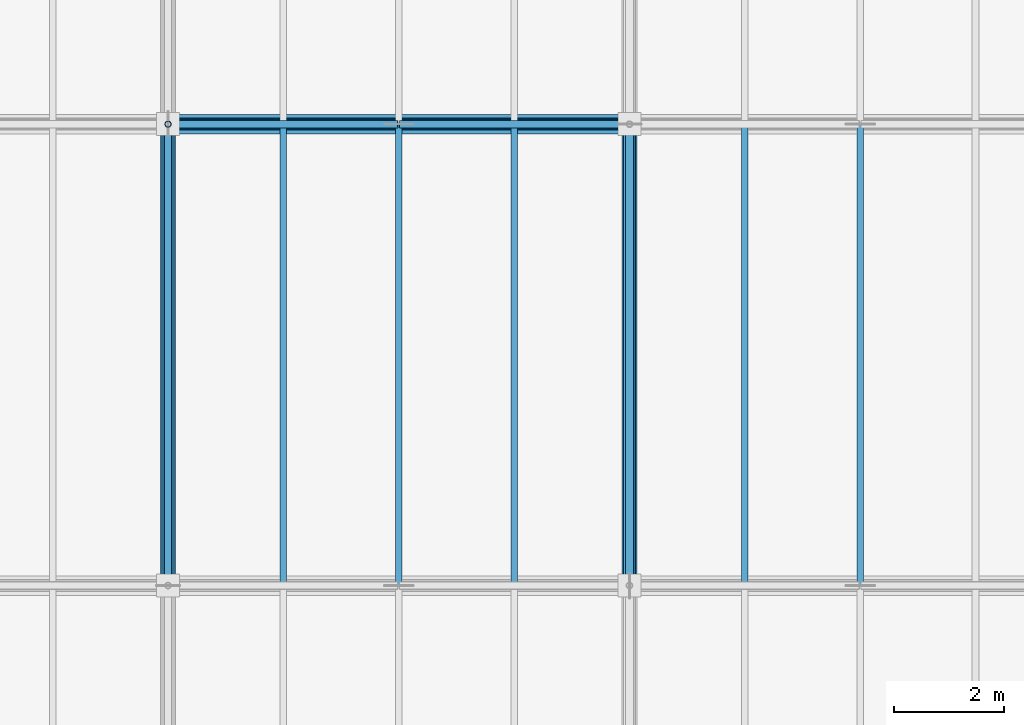
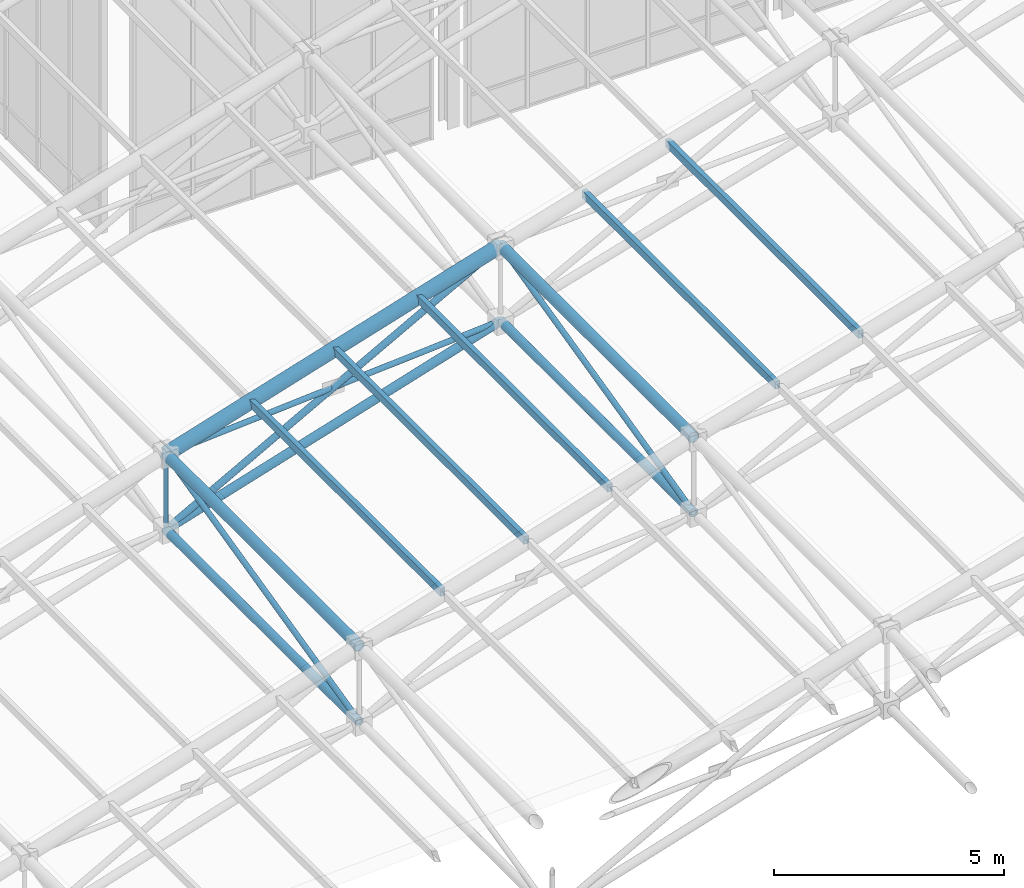
# One storey, part 41 of 144: 17 members.
"""IFC4 building model written with IfcOpenShell, lengths in metres."""

from ifc_helpers import new_model, si_unit, direction, frame, origin, origin_2d, place, context, subcontext, project, spatial, hollow_rectangle, hollow_circle, extrude, material, material_profile, profile_set, type_object, element, save


model = new_model("IFC4")

# Units and contexts
model_context = context("Model", 3, precision=1e-05, world=origin(), true_north=direction((0.0, 1.0)))
body_context = subcontext(model_context, "Body", "Model", "MODEL_VIEW")
ifc_project = project(units=[si_unit("LENGTHUNIT", "METRE"), si_unit("AREAUNIT", "SQUARE_METRE"), si_unit("VOLUMEUNIT", "CUBIC_METRE"), si_unit("PLANEANGLEUNIT", "RADIAN"), si_unit("MASSUNIT", "GRAM", prefix="KILO")], contexts=[model_context])

# Site, building, storey
site_placement = place(None, origin())
site = spatial("IfcSite", under=ifc_project, at=site_placement, CompositionType="ELEMENT")
building_placement = place(site_placement, origin())
building = spatial("IfcBuilding", under=site, at=building_placement, Name="Zayran Congress Hotel", CompositionType="ELEMENT")
storey_placement = place(building_placement, frame((0.0, 0.0, 19.199951171875)))
storey = spatial("IfcBuildingStorey", under=building, at=storey_placement, Name="L04", CompositionType="ELEMENT", Elevation=19.199951171875)

# Members
ifc_material = material(Name="Steel S355", Category="steel")
ifc_material_profile_1 = material_profile(ifc_material, hollow_circle(Radius=0.177734375, WallThickness=0.01611328125, at=origin_2d()), Name="CHS 355.6x16")
ifc_profile_set_1 = profile_set([ifc_material_profile_1], Name="Steel S355")
member_type_1 = type_object("IfcMemberType", Name="TP-SF-TC1", PredefinedType="CHORD", material=ifc_profile_set_1)
member_1_placement = place(storey_placement, frame((25.199951171875, 92.800048828125, 7.302001953125), z_axis=(0.955284210171, 0.0, 0.29568915739), x_axis=(0.0, 1.0, 0.0)))
element("IfcMember", 1, at=member_1_placement, inside=storey, type_object=member_type_1, Name="Space Frame Top Chord X 137", PredefinedType="CHORD", context=body_context, shape_type="SweptSolid", body=[
    extrude(hollow_circle(Radius=0.177734375, WallThickness=0.01611328125, at=origin_2d()), origin(), (0.0, 0.0, 1.0), 8.79345703125),
])
ifc_material_profile_2 = material_profile(ifc_material, hollow_circle(Radius=0.136474609375, WallThickness=0.012451171875, at=origin_2d()), Name="CHS 273x12.5")
ifc_profile_set_2 = profile_set([ifc_material_profile_2], Name="Steel S355")
member_type_2 = type_object("IfcMemberType", Name="TP-SF-TC2", PredefinedType="CHORD", material=ifc_profile_set_2)
for number, where, z_axis, x_axis, name in (
    (2, (25.199951171875, 84.39990234375, 7.302001953125), (0.0, 1.0, 0.0), (-1.0, 0.0, 0.0), "Space Frame Top Chord Y 133"),
    (3, (33.60009765625, 84.39990234375, 9.902099609375), (0.0, 1.0, 0.0), (-1.0, 0.0, 0.0), "Space Frame Top Chord Y 186"),
):
    element("IfcMember", number, at=place(storey_placement, frame(where, z_axis=z_axis, x_axis=x_axis)), inside=storey, type_object=member_type_2, Name=name, PredefinedType="CHORD", context=body_context, shape_type="SweptSolid", body=[
        extrude(hollow_circle(Radius=0.136474609375, WallThickness=0.012451171875, at=origin_2d()), origin(), (0.0, 0.0, 1.0), 8.400146484375),
    ])
ifc_material_profile_3 = material_profile(ifc_material, hollow_circle(Radius=0.109619140625, WallThickness=0.010009765625, at=origin_2d()), Name="CHS 219.1x10")
ifc_profile_set_3 = profile_set([ifc_material_profile_3], Name="Steel S355")
member_type_3 = type_object("IfcMemberType", Name="TP-SF-BC1", PredefinedType="CHORD", material=ifc_profile_set_3)
member_2_placement = place(storey_placement, frame((25.199951171875, 84.39990234375, 5.300048828125), z_axis=(0.0, 1.0, 0.0), x_axis=(-1.0, 0.0, 0.0)))
element("IfcMember", 4, at=member_2_placement, inside=storey, type_object=member_type_3, Name="Space Frame Bottom Chord Y 134", PredefinedType="CHORD", context=body_context, shape_type="SweptSolid", body=[
    extrude(hollow_circle(Radius=0.109619140625, WallThickness=0.010009765625, at=origin_2d()), origin(), (0.0, 0.0, 1.0), 8.400146484375),
])
member_3_placement = place(storey_placement, frame((25.199951171875, 92.800048828125, 5.300048828125), z_axis=(0.955284210171, 0.0, 0.29568915739), x_axis=(0.0, 1.0, 0.0)))
element("IfcMember", 5, at=member_3_placement, inside=storey, type_object=member_type_3, Name="Space Frame Bottom Chord X 138", PredefinedType="CHORD", context=body_context, shape_type="SweptSolid", body=[
    extrude(hollow_circle(Radius=0.109619140625, WallThickness=0.010009765625, at=origin_2d()), origin(), (0.0, 0.0, 1.0), 8.79345703125),
])
member_4_placement = place(storey_placement, frame((33.60009765625, 84.39990234375, 7.900146484375), z_axis=(0.0, 1.0, 0.0), x_axis=(-1.0, 0.0, 0.0)))
element("IfcMember", 6, at=member_4_placement, inside=storey, type_object=member_type_3, Name="Space Frame Bottom Chord Y 187", PredefinedType="CHORD", context=body_context, shape_type="SweptSolid", body=[
    extrude(hollow_circle(Radius=0.109619140625, WallThickness=0.010009765625, at=origin_2d()), origin(), (0.0, 0.0, 1.0), 8.400146484375),
])
ifc_material_profile_4 = material_profile(ifc_material, hollow_circle(Radius=0.084228515625, WallThickness=0.008056640625, at=origin_2d()), Name="CHS 168.3x8")
ifc_profile_set_4 = profile_set([ifc_material_profile_4], Name="Steel S355")
member_type_4 = type_object("IfcMemberType", Name="TP-SF-DG1", PredefinedType="BRACE", material=ifc_profile_set_4)
member_5_placement = place(storey_placement, frame((25.199951171875, 92.800048828125, 5.300048828125), z_axis=(0.877009581124, 0.0, 0.480472886453), x_axis=(0.0, 1.0, 0.0)))
element("IfcMember", 7, at=member_5_placement, inside=storey, type_object=member_type_4, Name="Space Frame Web Diagonal X 139", PredefinedType="BRACE", context=body_context, shape_type="SweptSolid", body=[
    extrude(hollow_circle(Radius=0.084228515625, WallThickness=0.008056640625, at=origin_2d()), origin(), (0.0, 0.0, 1.0), 9.578125),
])
ifc_material_profile_5 = material_profile(ifc_material, hollow_circle(Radius=0.06982421875, WallThickness=0.00634765625, at=origin_2d()), Name="CHS 139.7x6.3")
ifc_profile_set_5 = profile_set([ifc_material_profile_5], Name="Steel S355")
member_type_5 = type_object("IfcMemberType", Name="TP-SF-DG2", PredefinedType="BRACE", material=ifc_profile_set_5)
member_6_placement = place(storey_placement, frame((25.199951171875, 84.39990234375, 5.300048828125), z_axis=(0.0, 0.972756139537, 0.231830742122), x_axis=(-1.0, 0.0, 0.0)))
element("IfcMember", 8, at=member_6_placement, inside=storey, type_object=member_type_5, Name="Space Frame Web Diagonal Y 135", PredefinedType="BRACE", context=body_context, shape_type="SweptSolid", body=[
    extrude(hollow_circle(Radius=0.06982421875, WallThickness=0.00634765625, at=origin_2d()), origin(), (0.0, 0.0, 1.0), 8.635498046875),
])
for number, where, z_axis, x_axis, name in (
    (9, (25.199951171875, 92.800048828125, 7.302001953125), (0.99747698019, 0.0, 0.07099066129), (0.0, 1.0, 0.0), "Space Frame Counter Diagonal X Upper 140"),
    (10, (29.4150390625, 92.800048828125, 7.60205078125), (0.997472858069, 0.0, 0.071048556744), (0.0, 1.0, 0.0), "Space Frame Counter Diagonal X Lower 24"),
):
    element("IfcMember", number, at=place(storey_placement, frame(where, z_axis=z_axis, x_axis=x_axis)), inside=storey, type_object=member_type_5, Name=name, PredefinedType="BRACE", context=body_context, shape_type="SweptSolid", body=[
        extrude(hollow_circle(Radius=0.06982421875, WallThickness=0.00634765625, at=origin_2d()), origin(), (0.0, 0.0, 1.0), 4.195556640625),
    ])
member_7_placement = place(storey_placement, frame((33.60009765625, 84.39990234375, 7.900146484375), z_axis=(0.0, 0.972756139537, 0.231830742122), x_axis=(-1.0, 0.0, 0.0)))
element("IfcMember", 11, at=member_7_placement, inside=storey, type_object=member_type_5, Name="Space Frame Web Diagonal Y 188", PredefinedType="BRACE", context=body_context, shape_type="SweptSolid", body=[
    extrude(hollow_circle(Radius=0.06982421875, WallThickness=0.00634765625, at=origin_2d()), origin(), (0.0, 0.0, 1.0), 8.635498046875),
])
ifc_material_profile_6 = material_profile(ifc_material, hollow_circle(Radius=0.05712890625, WallThickness=0.00634765625, at=origin_2d()), Name="CHS 114.3x6.3")
ifc_profile_set_6 = profile_set([ifc_material_profile_6], Name="Steel S355")
member_type_6 = type_object("IfcMemberType", Name="TP-SF-DG3", PredefinedType="BRACE", material=ifc_profile_set_6)
member_8_placement = place(storey_placement, frame((25.199951171875, 92.800048828125, 5.300048828125), z_axis=(0.0, 0.0, 1.0), x_axis=(0.0, 1.0, 0.0)))
element("IfcMember", 12, at=member_8_placement, inside=storey, type_object=member_type_6, Name="Space Frame Web Strut 144", PredefinedType="BRACE", context=body_context, shape_type="SweptSolid", body=[
    extrude(hollow_circle(Radius=0.05712890625, WallThickness=0.00634765625, at=origin_2d()), origin(), (0.0, 0.0, 1.0), 2.001953125),
])
ifc_material_profile_7 = material_profile(ifc_material, hollow_rectangle(XDim=0.1201171875, YDim=0.199951171875, WallThickness=0.008056640625, at=origin_2d()), Name="RHS 200x120x8")
ifc_profile_set_7 = profile_set([ifc_material_profile_7], Name="Steel S355")
member_type_7 = type_object("IfcMemberType", Name="TP-PR-01", PredefinedType="PURLIN", material=ifc_profile_set_7)
for number, where, z_axis, x_axis, name in (
    (13, (27.300048828125, 84.39990234375, 7.994140625), (0.0, 1.0, 0.0), (-1.0, 0.0, 0.0), "MEM-PR-V1-0039"),
    (14, (29.39990234375, 84.39990234375, 8.64404296875), (0.0, 1.0, 0.0), (-1.0, 0.0, 0.0), "MEM-PR-V1-0045"),
    (15, (31.5, 84.39990234375, 9.2939453125), (0.0, 1.0, 0.0), (-1.0, 0.0, 0.0), "MEM-PR-V1-0051"),
    (16, (35.699951171875, 84.39990234375, 10.556640625), (0.0, 1.0, 0.0), (-1.0, 0.0, 0.0), "MEM-PR-V1-0057"),
    (17, (37.800048828125, 84.39990234375, 11.1689453125), (0.0, 1.0, 0.0), (-1.0, 0.0, 0.0), "MEM-PR-V1-0063"),
):
    element("IfcMember", number, at=place(storey_placement, frame(where, z_axis=z_axis, x_axis=x_axis)), inside=storey, type_object=member_type_7, Name=name, PredefinedType="PURLIN", context=body_context, shape_type="SweptSolid", body=[
        extrude(hollow_rectangle(XDim=0.1201171875, YDim=0.199951171875, WallThickness=0.008056640625, at=origin_2d()), origin(), (0.0, 0.0, 1.0), 8.400146484375),
    ])

save(model, "model.ifc")
